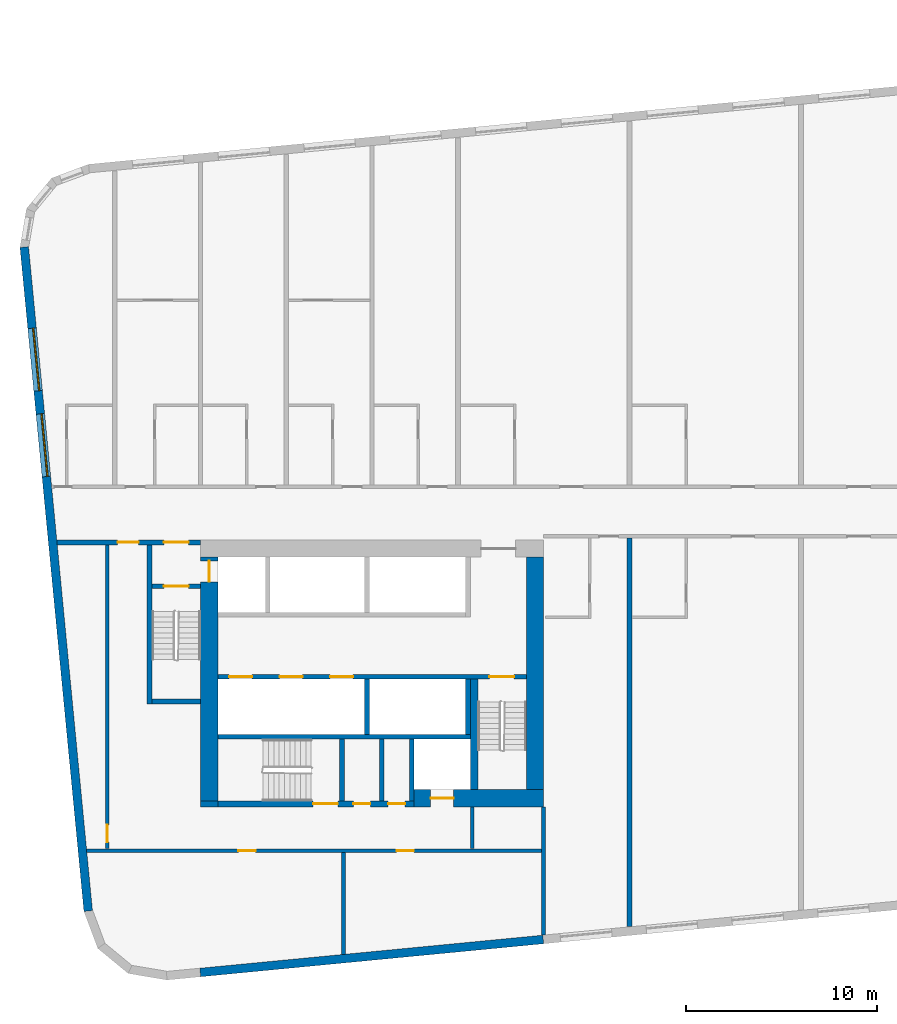
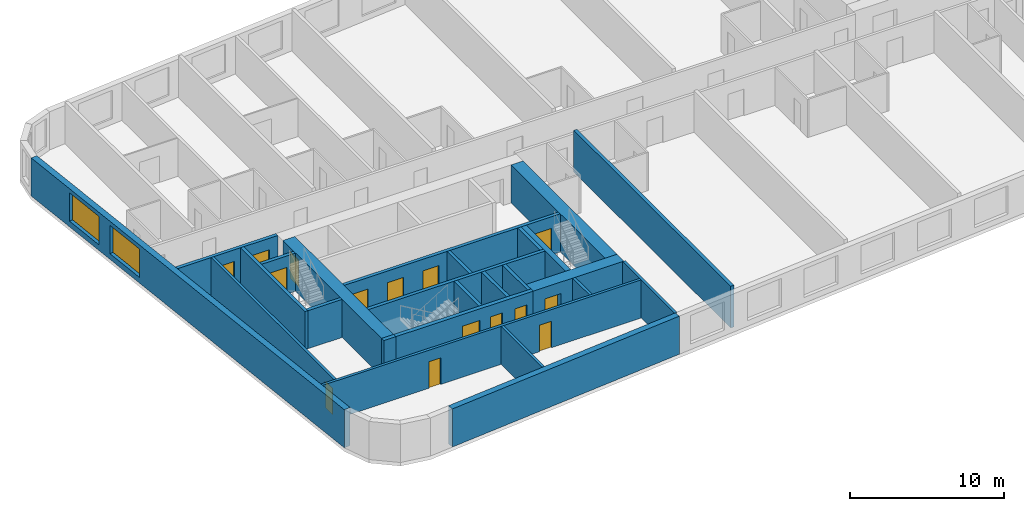
# One storey, part 2 of 12: 25 walls, 15 doors, 2 windows, 17 openings.
"""IFC4 building model written with IfcOpenShell, lengths in metres."""

import ifcopenshell
import ifcopenshell.guid

model = None  # the IFC model being written
_history = None  # IfcOwnerHistory: only IFC2X3 demands one
_inside = {}  # id of a spatial element -> (the spatial element, [elements in it])
_under = {}  # id of a project, library or spatial element -> (it, [spatial elements below it])
_declared = {}  # id of a project -> (the project, [libraries it declares])
_typed = {}  # id of a type object -> (the type object, [elements of that type])
_made_of = {}  # id of a material, layer set ... -> (it, [elements and type objects made of it])


def new_model(schema):
    """Start an empty IFC model of exactly this schema.

    Asked for "IFC4X3", IfcOpenShell would pick the latest addendum, in which some entities
    have other attributes; the version numbers below select the first issue.
    IFC2X3 requires an IfcOwnerHistory on every rooted entity: one is made here for all.
    """
    global model, _history
    if schema == "IFC4X3":
        model = ifcopenshell.file(schema_version=(4, 3, 0, 0))
    else:
        model = ifcopenshell.file(schema=schema)
    _inside.clear()
    _under.clear()
    _declared.clear()
    _typed.clear()
    _made_of.clear()
    _history = None
    if model.schema == "IFC2X3":
        org = make("IfcOrganization", Name="unknown")
        user = make(
            "IfcPersonAndOrganization",
            ThePerson=make("IfcPerson", FamilyName="unknown"),
            TheOrganization=org,
        )
        app = make(
            "IfcApplication",
            ApplicationDeveloper=org,
            Version="unknown",
            ApplicationFullName="unknown",
            ApplicationIdentifier="unknown",
        )
        _history = make(
            "IfcOwnerHistory",
            OwningUser=user,
            OwningApplication=app,
            ChangeAction="ADDED",
            CreationDate=0,
        )
    return model


def make(cls, **values):
    """One entity of the class cls with the attributes given. An attribute that is None is left unset."""
    return model.create_entity(
        cls, **{name: value for name, value in values.items() if value is not None}
    )


def rooted(cls, **values):
    """An entity with a GlobalId (a new one), such as an element, a storey or a relation."""
    return make(cls, GlobalId=ifcopenshell.guid.new(), OwnerHistory=_history, **values)


def si_unit(unit_type, name, prefix=None):
    """IfcSIUnit, for example si_unit("LENGTHUNIT", "METRE", prefix="MILLI")."""
    return make("IfcSIUnit", UnitType=unit_type, Prefix=prefix, Name=name)


def assignment(units):
    """IfcUnitAssignment: the units of a project."""
    return None if units is None else make("IfcUnitAssignment", Units=units)


def point(xyz):
    """IfcCartesianPoint."""
    return None if xyz is None else make("IfcCartesianPoint", Coordinates=xyz)


def direction(xyz):
    """IfcDirection."""
    return None if xyz is None else make("IfcDirection", DirectionRatios=xyz)


def frame(location, z_axis=None, x_axis=None):
    """IfcAxis2Placement3D, a coordinate frame: its origin and axes. An axis left out is left unset."""
    return make(
        "IfcAxis2Placement3D",
        Location=point(location),
        Axis=direction(z_axis),
        RefDirection=direction(x_axis),
    )


def frame_2d(location, x_axis=None):
    """IfcAxis2Placement2D, a coordinate frame in the plane: its origin and x axis."""
    return make(
        "IfcAxis2Placement2D", Location=point(location), RefDirection=direction(x_axis)
    )


def origin():
    """The frame at (0, 0, 0) with its axes left unset."""
    return frame((0.0, 0.0, 0.0))


def place(relative_to, where):
    """IfcLocalPlacement: puts the frame where relative to a parent placement (None: the world)."""
    return make(
        "IfcLocalPlacement", PlacementRelTo=relative_to, RelativePlacement=where
    )


def context(
    kind, dimensions, precision=None, world=None, true_north=None, identifier=None
):
    """IfcGeometricRepresentationContext, for example the 3D "Model" context."""
    return make(
        "IfcGeometricRepresentationContext",
        ContextIdentifier=identifier,
        ContextType=kind,
        CoordinateSpaceDimension=dimensions,
        Precision=precision,
        WorldCoordinateSystem=world,
        TrueNorth=true_north,
    )


def subcontext(parent, identifier, kind, view, scale=None):
    """IfcGeometricRepresentationSubContext, for example "Body" below "Model"."""
    return make(
        "IfcGeometricRepresentationSubContext",
        ContextIdentifier=identifier,
        ContextType=kind,
        ParentContext=parent,
        TargetScale=scale,
        TargetView=view,
    )


def project(units=None, contexts=None):
    """IfcProject with its units and contexts."""
    return rooted(
        "IfcProject",
        Name="project",
        RepresentationContexts=contexts,
        UnitsInContext=assignment(units),
    )


def spatial(cls, under=None, at=None, **own):
    """A site, building, storey or space (cls), placed at a placement, below another one or the project."""
    s = rooted(cls, ObjectPlacement=at, **own)
    if under is not None:
        _under.setdefault(under.id(), (under, []))[1].append(s)
    return s


def profile(cls, at=None, kind="AREA", **sizes):
    """A parametric profile (cls). Its sizes go by their IFC names, for example OverallWidth=200.0."""
    return make(cls, ProfileType=kind, Position=at, **sizes)


def rectangle(**sizes):
    """IfcRectangleProfileDef."""
    return profile("IfcRectangleProfileDef", **sizes)


def extrude(swept, where, along, depth):
    """IfcExtrudedAreaSolid: the profile swept, set in the frame where, extruded along a direction by depth."""
    return make(
        "IfcExtrudedAreaSolid",
        SweptArea=swept,
        Position=where,
        ExtrudedDirection=direction(along),
        Depth=depth,
    )


def shape(context_of_items, identifier, shape_type, items):
    """IfcShapeRepresentation: the items that make up one representation, for example the "Body"."""
    return make(
        "IfcShapeRepresentation",
        ContextOfItems=context_of_items,
        RepresentationIdentifier=identifier,
        RepresentationType=shape_type,
        Items=items,
    )


def material(Name=None, Category=None):
    """IfcMaterial."""
    return make("IfcMaterial", Name=Name, Category=Category)


def layer(
    of_material, thickness, ventilated=None, Name=None, Category=None, Priority=None
):
    """IfcMaterialLayer: one layer of a wall or slab, of a material (None: an air gap)."""
    return make(
        "IfcMaterialLayer",
        Material=of_material,
        LayerThickness=thickness,
        IsVentilated=ventilated,
        Name=Name,
        Category=Category,
        Priority=Priority,
    )


def layer_set(layers, Name=None):
    """IfcMaterialLayerSet."""
    return make("IfcMaterialLayerSet", MaterialLayers=layers, LayerSetName=Name)


def made_of(thing, what):
    """Note that an element or type object is made of a material, layer set ...; save() writes the relation."""
    if what is not None:
        _made_of.setdefault(what.id(), (what, []))[1].append(thing)
    return thing


def type_object(cls, material=None, **own):
    """A type object (cls), such as IfcWallType, which elements share."""
    return made_of(rooted(cls, **own), material)


def element(
    cls,
    number,
    at=None,
    inside=None,
    cuts=None,
    type_object=None,
    material=None,
    context=None,
    identifier="Body",
    shape_type=None,
    held_by="IfcProductDefinitionShape",
    body=None,
    shapes=None,
    **own,
):
    """One element of the class cls, such as IfcWall. Its Tag is "e" and its number.

    at: its placement. inside: the storey or other place that contains it. cuts: it is an
    opening in that element (IfcRelVoidsElement). A single representation is given by context,
    identifier, shape_type and body (its items); several are given by shapes. held_by: the class
    of the entity that holds the representations. save() writes the other relations.
    """
    e = rooted(cls, Tag="e%d" % number, ObjectPlacement=at, **own)
    if body is not None:
        shapes = [shape(context, identifier, shape_type, body)]
    if shapes is not None:
        e.Representation = make(held_by, Representations=shapes)
    if inside is not None:
        _inside.setdefault(inside.id(), (inside, []))[1].append(e)
    if cuts is not None:
        rooted(
            "IfcRelVoidsElement", RelatingBuildingElement=cuts, RelatedOpeningElement=e
        )
    if type_object is not None:
        _typed.setdefault(type_object.id(), (type_object, []))[1].append(e)
    return made_of(e, material)


def fill(opening, filler):
    """IfcRelFillsElement: the door or window that sits in an opening."""
    return rooted(
        "IfcRelFillsElement",
        RelatingOpeningElement=opening,
        RelatedBuildingElement=filler,
    )


def aggregate(whole, parts):
    """IfcRelAggregates: a whole, such as a stair, and the parts it consists of."""
    return rooted("IfcRelAggregates", RelatingObject=whole, RelatedObjects=parts)


def save(model, path):
    """Write the relations noted so far, then the file.

    IfcRelAggregates (storeys below a building ...), IfcRelContainedInSpatialStructure (elements
    in a storey), IfcRelDefinesByType, IfcRelAssociatesMaterial and IfcRelDeclares: one each for
    every whole, place, type object, material and project.
    """
    for whole, parts in _under.values():
        aggregate(whole, parts)
    for where, things in _inside.values():
        rooted(
            "IfcRelContainedInSpatialStructure",
            RelatedElements=things,
            RelatingStructure=where,
        )
    for kind, things in _typed.values():
        rooted("IfcRelDefinesByType", RelatedObjects=things, RelatingType=kind)
    for what, things in _made_of.values():
        rooted("IfcRelAssociatesMaterial", RelatedObjects=things, RelatingMaterial=what)
    for by, libraries in _declared.values():
        rooted("IfcRelDeclares", RelatingContext=by, RelatedDefinitions=libraries)
    model.write(path)


model = new_model("IFC4")

# Units and contexts
model_context = context("Model", 3, precision=1e-05, world=origin(), true_north=direction((0.0, 1.0)))
body_context = subcontext(model_context, "Body", "Model", "MODEL_VIEW")
ifc_project = project(units=[si_unit("LENGTHUNIT", "METRE"), si_unit("AREAUNIT", "SQUARE_METRE"), si_unit("VOLUMEUNIT", "CUBIC_METRE"), si_unit("PLANEANGLEUNIT", "RADIAN"), si_unit("MASSUNIT", "GRAM", prefix="KILO")], contexts=[model_context])

# Site, building, storey
site_placement = place(None, origin())
site = spatial("IfcSite", under=ifc_project, at=site_placement, CompositionType="ELEMENT")
building_placement = place(site_placement, origin())
building = spatial("IfcBuilding", under=site, at=building_placement, Name="Kajstack Hotel Tower", CompositionType="ELEMENT")
storey_placement = place(building_placement, frame((0.0, 0.0, 127.300048828125)))
storey = spatial("IfcBuildingStorey", under=building, at=storey_placement, Name="L28", CompositionType="ELEMENT", Elevation=127.300048828125)

# Wall, opening, door
ifc_material_1 = material(Name="Concrete C60/75", Category="concrete")
ifc_layer_1 = layer(ifc_material_1, 0.89990234375)
ifc_layer_set_1 = layer_set([ifc_layer_1], Name="Core wall 900")
wall_type_1 = type_object("IfcWallType", Name="Core wall 900", PredefinedType="SHEAR", material=ifc_layer_set_1)
wall_1_placement = place(storey_placement, frame((-20.300048828125, -15.050048828125, 0.0), z_axis=(0.0, 0.0, 1.0), x_axis=(1.0, 0.0, 0.0)))
wall_1 = element("IfcWall", 1, at=wall_1_placement, inside=storey, type_object=wall_type_1, Name="Core wall W RS", PredefinedType="SHEAR", context=body_context, shape_type="SweptSolid", body=[
    extrude(rectangle(XDim=6.800048828125, YDim=0.89990234375, at=frame_2d((3.39990234375, 0.0))), origin(), (0.0, 0.0, 1.0), 3.02001953125),
])
opening_1_placement = place(wall_1_placement, frame((0.875, 0.0, 0.0)))
opening_1 = element("IfcOpeningElement", 2, at=opening_1_placement, cuts=wall_1, Name="Opening LD-SV1", PredefinedType="OPENING", context=body_context, shape_type="SweptSolid", body=[
    extrude(rectangle(XDim=1.199951171875, YDim=2.10009765625, at=frame_2d((0.60009765625, 1.050048828125))), frame((0.0, 0.4599609375, 0.0), z_axis=(0.0, -1.0, 0.0), x_axis=(1.0, 0.0, 0.0)), (0.0, 0.0, 1.0), 0.919921875),
])
ifc_material_2 = material(Name="Stainless steel", Category="steel")
door_type_1 = type_object("IfcDoorType", Name="Lift landing door 1200", OperationType="SLIDING_TO_LEFT", PredefinedType="DOOR", material=ifc_material_2)
door_1_placement = place(opening_1_placement, origin())
door_1 = element("IfcDoor", 3, at=door_1_placement, inside=storey, type_object=door_type_1, Name="Landing door SV1", OperationType="SLIDING_TO_LEFT", OverallHeight=2.10009765625, OverallWidth=1.199951171875, PredefinedType="DOOR", context=body_context, shape_type="SweptSolid", body=[
    extrude(rectangle(XDim=1.199951171875, YDim=2.10009765625, at=frame_2d((0.60009765625, 1.050048828125))), frame((0.0, 0.02490234375, 0.0), z_axis=(0.0, -1.0, 0.0), x_axis=(1.0, 0.0, 0.0)), (0.0, 0.0, 1.0), 0.050048828125),
])
fill(opening_1, door_1)

# Wall
wall_2_placement = place(storey_placement, frame((-31.5, -15.35009765625, 0.0), z_axis=(0.0, 0.0, 1.0), x_axis=(1.0, 0.0, 0.0)))
element("IfcWall", 4, at=wall_2_placement, inside=storey, type_object=wall_type_1, Name="Core wall W RSW", PredefinedType="SHEAR", context=body_context, shape_type="SweptSolid", body=[
    extrude(rectangle(XDim=0.89990234375, YDim=0.300048828125, at=frame_2d((0.449951171875, 0.0))), origin(), (0.0, 0.0, 1.0), 3.02001953125),
])

# Wall, opening, door
wall_3_placement = place(storey_placement, frame((-31.050048828125, -15.199951171875, 0.0), z_axis=(0.0, 0.0, 1.0), x_axis=(0.0, 1.0, 0.0)))
wall_3 = element("IfcWall", 5, at=wall_3_placement, inside=storey, type_object=wall_type_1, Name="Core wall W RW", PredefinedType="SHEAR", context=body_context, shape_type="SweptSolid", body=[
    extrude(rectangle(XDim=12.800048828125, YDim=0.89990234375, at=frame_2d((6.39990234375, 0.0))), origin(), (0.0, 0.0, 1.0), 3.02001953125),
])
opening_2_placement = place(wall_3_placement, frame((11.5, 0.0, 0.0)))
opening_2 = element("IfcOpeningElement", 6, at=opening_2_placement, cuts=wall_3, Name="Opening LD-FF1", PredefinedType="OPENING", context=body_context, shape_type="SweptSolid", body=[
    extrude(rectangle(XDim=1.10009765625, YDim=2.10009765625, at=frame_2d((0.550048828125, 1.050048828125))), frame((0.0, 0.4599609375, 0.0), z_axis=(0.0, -1.0, 0.0), x_axis=(1.0, 0.0, 0.0)), (0.0, 0.0, 1.0), 0.919921875),
])
door_type_2 = type_object("IfcDoorType", Name="Fire-fighting lift landing door 1100", OperationType="SLIDING_TO_LEFT", PredefinedType="DOOR", material=ifc_material_2)
door_2_placement = place(opening_2_placement, origin())
door_2 = element("IfcDoor", 7, at=door_2_placement, inside=storey, type_object=door_type_2, Name="Landing door FF1", OperationType="SLIDING_TO_RIGHT", OverallHeight=2.10009765625, OverallWidth=1.10009765625, PredefinedType="DOOR", context=body_context, shape_type="SweptSolid", body=[
    extrude(rectangle(XDim=1.10009765625, YDim=2.10009765625, at=frame_2d((0.550048828125, 1.050048828125))), frame((0.0, 0.02490234375, 0.0), z_axis=(0.0, -1.0, 0.0), x_axis=(1.0, 0.0, 0.0)), (0.0, 0.0, 1.0), 0.050048828125),
])
fill(opening_2, door_2)

# Walls
wall_4_placement = place(storey_placement, frame((-13.949951171875, -14.60009765625, 0.0), z_axis=(0.0, 0.0, 1.0), x_axis=(0.0, 1.0, 0.0)))
element("IfcWall", 8, at=wall_4_placement, inside=storey, type_object=wall_type_1, Name="Core wall W RE", PredefinedType="SHEAR", context=body_context, shape_type="SweptSolid", body=[
    extrude(rectangle(XDim=12.2001953125, YDim=0.89990234375, at=frame_2d((6.10009765625, 0.0))), origin(), (0.0, 0.0, 1.0), 3.02001953125),
])
ifc_material_3 = material(Name="Twin-frame gypsum board on steel studs, mineral wool", Category="steel")
ifc_layer_2 = layer(ifc_material_3, 0.199951171875)
ifc_layer_set_2 = layer_set([ifc_layer_2], Name="Demising wall 200")
wall_type_2 = type_object("IfcWallType", Name="Demising wall 200", PredefinedType="PARTITIONING", material=ifc_layer_set_2)
wall_5_placement = place(storey_placement, frame((-13.5, -22.23193359375, 0.0), z_axis=(0.0, 0.0, 1.0), x_axis=(0.0, 1.0, 0.0)))
element("IfcWall", 9, at=wall_5_placement, inside=storey, type_object=wall_type_2, Name="G-wall-L28-002", PredefinedType="PARTITIONING", context=body_context, shape_type="SweptSolid", body=[
    extrude(rectangle(XDim=6.73193359375, YDim=0.199951171875, at=frame_2d((3.365966796875, 0.0))), origin(), (0.0, 0.0, 1.0), 3.02001953125),
])
ifc_material_4 = material(Name="Concrete C40/50", Category="concrete")
ifc_layer_3 = layer(ifc_material_4, 0.449951171875)
ifc_layer_set_3 = layer_set([ifc_layer_3], Name="EW-CORE")
wall_type_3 = type_object("IfcWallType", Name="EW-CORE", PredefinedType="SOLIDWALL", material=ifc_layer_set_3)
wall_6_placement = place(storey_placement, frame((-31.521484375, -24.193603515625, 0.0), z_axis=(0.0, 0.0, 1.0), x_axis=(0.995396454615, 0.095843091245, 0.0)))
element("IfcWall", 10, at=wall_6_placement, inside=storey, type_object=wall_type_3, Name="E-wall-L28-04-01", PredefinedType="SOLIDWALL", context=body_context, shape_type="SweptSolid", body=[
    extrude(rectangle(XDim=18.083251953125, YDim=0.449951171875, at=frame_2d((9.04150390625, 0.0))), origin(), (0.0, 0.0, 1.0), 3.02001953125),
])

# Wall, openings, windows
ifc_material_5 = material(Name="Terracotta-faced brick masonry", Category="masonry")
ifc_layer_4 = layer(ifc_material_5, 0.449951171875)
ifc_layer_set_4 = layer_set([ifc_layer_4], Name="EW-TERRA")
wall_type_4 = type_object("IfcWallType", Name="EW-TERRA", PredefinedType="SOLIDWALL", material=ifc_layer_set_4)
wall_7_placement = place(storey_placement, frame((-40.7529296875, 13.87158203125, 0.0), z_axis=(0.0, 0.0, 1.0), x_axis=(0.095843327381, -0.995396431878, 0.0)))
wall_7 = element("IfcWall", 11, at=wall_7_placement, inside=storey, type_object=wall_type_4, Name="E-wall-L28-00-00", PredefinedType="SOLIDWALL", context=body_context, shape_type="SweptSolid", body=[
    extrude(rectangle(XDim=34.999755859375, YDim=0.449951171875, at=frame_2d((17.5, 0.0))), origin(), (0.0, 0.0, 1.0), 3.02001953125),
])
opening_3_placement = place(wall_7_placement, frame((4.27734375, 0.0, 0.449951171875)))
opening_3 = element("IfcOpeningElement", 12, at=opening_3_placement, cuts=wall_7, Name="Opening W2", PredefinedType="OPENING", context=body_context, shape_type="SweptSolid", body=[
    extrude(rectangle(XDim=3.300048828125, YDim=2.25, at=frame_2d((1.64990234375, 1.125))), frame((0.0, 0.23486328125, 0.0), z_axis=(0.0, -1.0, 0.0), x_axis=(1.0, 0.0, 0.0)), (0.0, 0.0, 1.0), 0.469970703125),
])
opening_4_placement = place(wall_7_placement, frame((8.798095703125, 0.0, 0.449951171875)))
opening_4 = element("IfcOpeningElement", 13, at=opening_4_placement, cuts=wall_7, Name="Opening W2", PredefinedType="OPENING", context=body_context, shape_type="SweptSolid", body=[
    extrude(rectangle(XDim=3.300048828125, YDim=2.25, at=frame_2d((1.64990234375, 1.125))), frame((0.0, 0.23486328125, 0.0), z_axis=(0.0, -1.0, 0.0), x_axis=(1.0, 0.0, 0.0)), (0.0, 0.0, 1.0), 0.469970703125),
])
ifc_material_6 = material(Name="Timber-aluminium window, triple glazed", Category="wood")
window_type = type_object("IfcWindowType", Name="WG2", PartitioningType="SINGLE_PANEL", PredefinedType="WINDOW", material=ifc_material_6)
window_1_placement = place(opening_3_placement, origin())
window_1 = element("IfcWindow", 14, at=window_1_placement, inside=storey, type_object=window_type, Name="Window W2 L28-00", OverallHeight=2.25, OverallWidth=3.300048828125, PartitioningType="SINGLE_PANEL", PredefinedType="WINDOW", context=body_context, shape_type="SweptSolid", body=[
    extrude(rectangle(XDim=3.300048828125, YDim=2.25, at=frame_2d((1.64990234375, 1.125))), frame((0.0, 0.090087890625, 0.0), z_axis=(0.0, -1.0, 0.0), x_axis=(1.0, 0.0, 0.0)), (0.0, 0.0, 1.0), 0.06005859375),
])
fill(opening_3, window_1)
window_2_placement = place(opening_4_placement, origin())
window_2 = element("IfcWindow", 15, at=window_2_placement, inside=storey, type_object=window_type, Name="Window W2 L28-00", OverallHeight=2.25, OverallWidth=3.300048828125, PartitioningType="SINGLE_PANEL", PredefinedType="WINDOW", context=body_context, shape_type="SweptSolid", body=[
    extrude(rectangle(XDim=3.300048828125, YDim=2.25, at=frame_2d((1.64990234375, 1.125))), frame((0.0, 0.090087890625, 0.0), z_axis=(0.0, -1.0, 0.0), x_axis=(1.0, 0.0, 0.0)), (0.0, 0.0, 1.0), 0.06005859375),
])
fill(opening_4, window_2)

# Walls
ifc_material_7 = material(Name="Concrete C50/60", Category="concrete")
ifc_layer_5 = layer(ifc_material_7, 0.300048828125)
ifc_layer_set_5 = layer_set([ifc_layer_5], Name="Hoistway divider wall 300")
wall_type_5 = type_object("IfcWallType", Name="Hoistway divider wall 300", PredefinedType="SHEAR", material=ifc_layer_set_5)
wall_8_placement = place(storey_placement, frame((-22.77490234375, -11.699951171875, 0.0), z_axis=(0.0, 0.0, 1.0), x_axis=(0.0, 1.0, 0.0)))
element("IfcWall", 16, at=wall_8_placement, inside=storey, type_object=wall_type_5, Name="Core wall W BP2", PredefinedType="SHEAR", context=body_context, shape_type="SweptSolid", body=[
    extrude(rectangle(XDim=2.89990234375, YDim=0.25, at=frame_2d((1.449951171875, 0.0))), origin(), (0.0, 0.0, 1.0), 3.02001953125),
])
ifc_material_8 = material(Name="Concrete C55/67", Category="concrete")
ifc_layer_6 = layer(ifc_material_8, 0.25)
ifc_layer_set_6 = layer_set([ifc_layer_6], Name="RC cross wall 250 C55/67")
wall_type_6 = type_object("IfcWallType", Name="RC cross wall 250 C55/67", PredefinedType="SHEAR", material=ifc_layer_set_6)
wall_9_placement = place(storey_placement, frame((-9.0, -21.777099609375, 0.0), z_axis=(0.0, 0.0, 1.0), x_axis=(0.0, 1.0, 0.0)))
element("IfcWall", 17, at=wall_9_placement, inside=storey, type_object=wall_type_6, Name="S-wall-L28-04", PredefinedType="SHEAR", context=body_context, shape_type="SweptSolid", body=[
    extrude(rectangle(XDim=20.377197265625, YDim=0.25, at=frame_2d((10.1884765625, 0.0))), origin(), (0.0, 0.0, 1.0), 3.300048828125),
])
ifc_material_9 = material(Name="Concrete block masonry", Category="masonry")
ifc_layer_7 = layer(ifc_material_9, 0.25)
ifc_layer_set_7 = layer_set([ifc_layer_7], Name="Riser partition 250")
wall_type_7 = type_object("IfcWallType", Name="Riser partition 250", PredefinedType="PARTITIONING", material=ifc_layer_set_7)
wall_10_placement = place(storey_placement, frame((-22.0, -15.199951171875, 0.0), z_axis=(0.0, 0.0, 1.0), x_axis=(0.0, 1.0, 0.0)))
element("IfcWall", 18, at=wall_10_placement, inside=storey, type_object=wall_type_7, Name="Partition W SZ0", PredefinedType="PARTITIONING", context=body_context, shape_type="SweptSolid", body=[
    extrude(rectangle(XDim=3.25, YDim=0.25, at=frame_2d((1.625, 0.0))), origin(), (0.0, 0.0, 1.0), 3.02001953125),
])

# Wall, openings, doors
ifc_material_10 = material(Name="Gypsum board on steel studs, mineral wool", Category="steel")
ifc_layer_8 = layer(ifc_material_10, 0.199951171875)
ifc_layer_set_8 = layer_set([ifc_layer_8], Name="Service partition 200")
wall_type_8 = type_object("IfcWallType", Name="Service partition 200", PredefinedType="PARTITIONING", material=ifc_layer_set_8)
wall_11_placement = place(storey_placement, frame((-39.034912109375, -1.625, 0.0), z_axis=(0.0, 0.0, 1.0), x_axis=(1.0, 0.0, 0.0)))
wall_11 = element("IfcWall", 19, at=wall_11_placement, inside=storey, type_object=wall_type_8, Name="Partition W SN", PredefinedType="PARTITIONING", context=body_context, shape_type="SweptSolid", body=[
    extrude(rectangle(XDim=7.534912109375, YDim=0.25, at=frame_2d((3.767578125, 0.0))), origin(), (0.0, 0.0, 1.0), 3.02001953125),
])
opening_5_placement = place(wall_11_placement, frame((5.60986328125, 0.0, 0.0)))
opening_5 = element("IfcOpeningElement", 20, at=opening_5_placement, cuts=wall_11, Name="Opening 28W07", PredefinedType="OPENING", context=body_context, shape_type="SweptSolid", body=[
    extrude(rectangle(XDim=1.300048828125, YDim=2.10009765625, at=frame_2d((0.64990234375, 1.050048828125))), frame((0.0, 0.135009765625, 0.0), z_axis=(0.0, -1.0, 0.0), x_axis=(1.0, 0.0, 0.0)), (0.0, 0.0, 1.0), 0.27001953125),
])
opening_6_placement = place(wall_11_placement, frame((3.184814453125, 0.0, 0.0)))
opening_6 = element("IfcOpeningElement", 21, at=opening_6_placement, cuts=wall_11, Name="Opening 28W09", PredefinedType="OPENING", context=body_context, shape_type="SweptSolid", body=[
    extrude(rectangle(XDim=1.10009765625, YDim=2.10009765625, at=frame_2d((0.550048828125, 1.050048828125))), frame((0.0, 0.135009765625, 0.0), z_axis=(0.0, -1.0, 0.0), x_axis=(1.0, 0.0, 0.0)), (0.0, 0.0, 1.0), 0.27001953125),
])
ifc_material_11 = material(Name="Steel leaf, fire-rated", Category="steel")
door_type_3 = type_object("IfcDoorType", Name="Fire lobby door 1300", OperationType="SINGLE_SWING_LEFT", PredefinedType="DOOR", material=ifc_material_11)
door_3_placement = place(opening_5_placement, origin())
door_3 = element("IfcDoor", 22, at=door_3_placement, inside=storey, type_object=door_type_3, Name="Door 28W07", OperationType="SINGLE_SWING_RIGHT", OverallHeight=2.10009765625, OverallWidth=1.300048828125, PredefinedType="DOOR", context=body_context, shape_type="SweptSolid", body=[
    extrude(rectangle(XDim=1.300048828125, YDim=2.10009765625, at=frame_2d((0.64990234375, 1.050048828125))), frame((0.0, 0.02490234375, 0.0), z_axis=(0.0, -1.0, 0.0), x_axis=(1.0, 0.0, 0.0)), (0.0, 0.0, 1.0), 0.050048828125),
])
fill(opening_5, door_3)
ifc_material_12 = material(Name="Timber leaf, fire-rated", Category="wood")
door_type_4 = type_object("IfcDoorType", Name="Service corridor door 1100", OperationType="SINGLE_SWING_LEFT", PredefinedType="DOOR", material=ifc_material_12)
door_4_placement = place(opening_6_placement, origin())
door_4 = element("IfcDoor", 23, at=door_4_placement, inside=storey, type_object=door_type_4, Name="Door 28W09", OperationType="SINGLE_SWING_RIGHT", OverallHeight=2.10009765625, OverallWidth=1.10009765625, PredefinedType="DOOR", context=body_context, shape_type="SweptSolid", body=[
    extrude(rectangle(XDim=1.10009765625, YDim=2.10009765625, at=frame_2d((0.550048828125, 1.050048828125))), frame((0.0, 0.02490234375, 0.0), z_axis=(0.0, -1.0, 0.0), x_axis=(1.0, 0.0, 0.0)), (0.0, 0.0, 1.0), 0.050048828125),
])
fill(opening_6, door_4)

# Wall
wall_12_placement = place(storey_placement, frame((-17.25, -17.699951171875, 0.0), z_axis=(0.0, 0.0, 1.0), x_axis=(0.0, 1.0, 0.0)))
element("IfcWall", 24, at=wall_12_placement, inside=storey, type_object=wall_type_8, Name="Partition W SCE", PredefinedType="PARTITIONING", context=body_context, shape_type="SweptSolid", body=[
    extrude(rectangle(XDim=2.199951171875, YDim=0.199951171875, at=frame_2d((1.10009765625, 0.0))), origin(), (0.0, 0.0, 1.0), 3.02001953125),
])

# Wall, opening, door
wall_13_placement = place(storey_placement, frame((-36.39990234375, -17.699951171875, 0.0), z_axis=(0.0, 0.0, 1.0), x_axis=(0.0, 1.0, 0.0)))
wall_13 = element("IfcWall", 25, at=wall_13_placement, inside=storey, type_object=wall_type_8, Name="Partition W WRE", PredefinedType="PARTITIONING", context=body_context, shape_type="SweptSolid", body=[
    extrude(rectangle(XDim=15.949951171875, YDim=0.199951171875, at=frame_2d((7.97509765625, 0.0))), origin(), (0.0, 0.0, 1.0), 3.02001953125),
])
opening_7_placement = place(wall_13_placement, frame((0.35009765625, 0.0, 0.0)))
opening_7 = element("IfcOpeningElement", 26, at=opening_7_placement, cuts=wall_13, Name="Opening 28W16", PredefinedType="OPENING", context=body_context, shape_type="SweptSolid", body=[
    extrude(rectangle(XDim=0.89990234375, YDim=2.10009765625, at=frame_2d((0.449951171875, 1.050048828125))), frame((0.0, 0.10986328125, 0.0), z_axis=(0.0, -1.0, 0.0), x_axis=(1.0, 0.0, 0.0)), (0.0, 0.0, 1.0), 0.219970703125),
])
door_type_5 = type_object("IfcDoorType", Name="Service door 900", OperationType="SINGLE_SWING_LEFT", PredefinedType="DOOR", material=ifc_material_12)
door_5_placement = place(opening_7_placement, origin())
door_5 = element("IfcDoor", 27, at=door_5_placement, inside=storey, type_object=door_type_5, Name="Door 28W16", OperationType="SINGLE_SWING_LEFT", OverallHeight=2.10009765625, OverallWidth=0.89990234375, PredefinedType="DOOR", context=body_context, shape_type="SweptSolid", body=[
    extrude(rectangle(XDim=0.89990234375, YDim=2.10009765625, at=frame_2d((0.449951171875, 1.050048828125))), frame((0.0, 0.02490234375, 0.0), z_axis=(0.0, -1.0, 0.0), x_axis=(1.0, 0.0, 0.0)), (0.0, 0.0, 1.0), 0.050048828125),
])
fill(opening_7, door_5)

# Wall, openings, doors
wall_14_placement = place(storey_placement, frame((-37.477294921875, -17.800048828125, 0.0), z_axis=(0.0, 0.0, 1.0), x_axis=(1.0, 0.0, 0.0)))
wall_14 = element("IfcWall", 28, at=wall_14_placement, inside=storey, type_object=wall_type_8, Name="Partition W SLN", PredefinedType="PARTITIONING", context=body_context, shape_type="SweptSolid", body=[
    extrude(rectangle(XDim=23.877197265625, YDim=0.199951171875, at=frame_2d((11.9384765625, 0.0))), origin(), (0.0, 0.0, 1.0), 3.02001953125),
])
opening_8_placement = place(wall_14_placement, frame((7.96484375, 0.0, 0.0)))
opening_8 = element("IfcOpeningElement", 29, at=opening_8_placement, cuts=wall_14, Name="Opening 28W14", PredefinedType="OPENING", context=body_context, shape_type="SweptSolid", body=[
    extrude(rectangle(XDim=0.89990234375, YDim=2.10009765625, at=frame_2d((0.449951171875, 1.050048828125))), frame((0.0, 0.10986328125, 0.0), z_axis=(0.0, -1.0, 0.0), x_axis=(1.0, 0.0, 0.0)), (0.0, 0.0, 1.0), 0.219970703125),
])
opening_9_placement = place(wall_14_placement, frame((16.264892578125, 0.0, 0.0)))
opening_9 = element("IfcOpeningElement", 30, at=opening_9_placement, cuts=wall_14, Name="Opening 28W15", PredefinedType="OPENING", context=body_context, shape_type="SweptSolid", body=[
    extrude(rectangle(XDim=0.89990234375, YDim=2.10009765625, at=frame_2d((0.449951171875, 1.050048828125))), frame((0.0, 0.10986328125, 0.0), z_axis=(0.0, -1.0, 0.0), x_axis=(1.0, 0.0, 0.0)), (0.0, 0.0, 1.0), 0.219970703125),
])
door_6_placement = place(opening_8_placement, origin())
door_6 = element("IfcDoor", 31, at=door_6_placement, inside=storey, type_object=door_type_5, Name="Door 28W14", OperationType="SINGLE_SWING_RIGHT", OverallHeight=2.10009765625, OverallWidth=0.89990234375, PredefinedType="DOOR", context=body_context, shape_type="SweptSolid", body=[
    extrude(rectangle(XDim=0.89990234375, YDim=2.10009765625, at=frame_2d((0.449951171875, 1.050048828125))), frame((0.0, 0.02490234375, 0.0), z_axis=(0.0, -1.0, 0.0), x_axis=(1.0, 0.0, 0.0)), (0.0, 0.0, 1.0), 0.050048828125),
])
fill(opening_8, door_6)
door_7_placement = place(opening_9_placement, origin())
door_7 = element("IfcDoor", 32, at=door_7_placement, inside=storey, type_object=door_type_5, Name="Door 28W15", OperationType="SINGLE_SWING_RIGHT", OverallHeight=2.10009765625, OverallWidth=0.89990234375, PredefinedType="DOOR", context=body_context, shape_type="SweptSolid", body=[
    extrude(rectangle(XDim=0.89990234375, YDim=2.10009765625, at=frame_2d((0.449951171875, 1.050048828125))), frame((0.0, 0.02490234375, 0.0), z_axis=(0.0, -1.0, 0.0), x_axis=(1.0, 0.0, 0.0)), (0.0, 0.0, 1.0), 0.050048828125),
])
fill(opening_9, door_7)

# Wall
wall_15_placement = place(storey_placement, frame((-24.0, -23.244384765625, 0.0), z_axis=(0.0, 0.0, 1.0), x_axis=(0.0, 1.0, 0.0)))
element("IfcWall", 33, at=wall_15_placement, inside=storey, type_object=wall_type_8, Name="Partition W SLP0", PredefinedType="PARTITIONING", context=body_context, shape_type="SweptSolid", body=[
    extrude(rectangle(XDim=5.344482421875, YDim=0.199951171875, at=frame_2d((2.67236328125, 0.0))), origin(), (0.0, 0.0, 1.0), 3.02001953125),
])

# Wall, openings, doors
ifc_layer_9 = layer(ifc_material_7, 0.25)
ifc_layer_set_9 = layer_set([ifc_layer_9], Name="Shaft wall 250")
wall_type_9 = type_object("IfcWallType", Name="Shaft wall 250", PredefinedType="SHEAR", material=ifc_layer_set_9)
wall_16_placement = place(storey_placement, frame((-30.60009765625, -15.35009765625, 0.0), z_axis=(0.0, 0.0, 1.0), x_axis=(1.0, 0.0, 0.0)))
wall_16 = element("IfcWall", 34, at=wall_16_placement, inside=storey, type_object=wall_type_9, Name="Core wall W RSS", PredefinedType="SHEAR", context=body_context, shape_type="SweptSolid", body=[
    extrude(rectangle(XDim=10.300048828125, YDim=0.300048828125, at=frame_2d((5.14990234375, 0.0))), origin(), (0.0, 0.0, 1.0), 3.02001953125),
])
opening_10_placement = place(wall_16_placement, frame((5.0, 0.0, 0.0)))
opening_10 = element("IfcOpeningElement", 35, at=opening_10_placement, cuts=wall_16, Name="Opening 28W11", PredefinedType="OPENING", context=body_context, shape_type="SweptSolid", body=[
    extrude(rectangle(XDim=1.300048828125, YDim=2.10009765625, at=frame_2d((0.64990234375, 1.050048828125))), frame((0.0, 0.159912109375, 0.0), z_axis=(0.0, -1.0, 0.0), x_axis=(1.0, 0.0, 0.0)), (0.0, 0.0, 1.0), 0.320068359375),
])
opening_11_placement = place(wall_16_placement, frame((7.112548828125, 0.0, 0.0)))
opening_11 = element("IfcOpeningElement", 36, at=opening_11_placement, cuts=wall_16, Name="Opening 28W12", PredefinedType="OPENING", context=body_context, shape_type="SweptSolid", body=[
    extrude(rectangle(XDim=0.89990234375, YDim=2.10009765625, at=frame_2d((0.449951171875, 1.050048828125))), frame((0.0, 0.159912109375, 0.0), z_axis=(0.0, -1.0, 0.0), x_axis=(1.0, 0.0, 0.0)), (0.0, 0.0, 1.0), 0.320068359375),
])
opening_12_placement = place(wall_16_placement, frame((8.9375, 0.0, 0.0)))
opening_12 = element("IfcOpeningElement", 37, at=opening_12_placement, cuts=wall_16, Name="Opening 28W13", PredefinedType="OPENING", context=body_context, shape_type="SweptSolid", body=[
    extrude(rectangle(XDim=0.89990234375, YDim=2.10009765625, at=frame_2d((0.449951171875, 1.050048828125))), frame((0.0, 0.159912109375, 0.0), z_axis=(0.0, -1.0, 0.0), x_axis=(1.0, 0.0, 0.0)), (0.0, 0.0, 1.0), 0.320068359375),
])
door_8_placement = place(opening_11_placement, origin())
door_8 = element("IfcDoor", 38, at=door_8_placement, inside=storey, type_object=door_type_5, Name="Door 28W12", OperationType="SINGLE_SWING_LEFT", OverallHeight=2.10009765625, OverallWidth=0.89990234375, PredefinedType="DOOR", context=body_context, shape_type="SweptSolid", body=[
    extrude(rectangle(XDim=0.89990234375, YDim=2.10009765625, at=frame_2d((0.449951171875, 1.050048828125))), frame((0.0, 0.02490234375, 0.0), z_axis=(0.0, -1.0, 0.0), x_axis=(1.0, 0.0, 0.0)), (0.0, 0.0, 1.0), 0.050048828125),
])
fill(opening_11, door_8)
door_9_placement = place(opening_12_placement, origin())
door_9 = element("IfcDoor", 39, at=door_9_placement, inside=storey, type_object=door_type_5, Name="Door 28W13", OperationType="SINGLE_SWING_LEFT", OverallHeight=2.10009765625, OverallWidth=0.89990234375, PredefinedType="DOOR", context=body_context, shape_type="SweptSolid", body=[
    extrude(rectangle(XDim=0.89990234375, YDim=2.10009765625, at=frame_2d((0.449951171875, 1.050048828125))), frame((0.0, 0.02490234375, 0.0), z_axis=(0.0, -1.0, 0.0), x_axis=(1.0, 0.0, 0.0)), (0.0, 0.0, 1.0), 0.050048828125),
])
fill(opening_12, door_9)
door_type_6 = type_object("IfcDoorType", Name="Stair door 1300", OperationType="SINGLE_SWING_LEFT", PredefinedType="DOOR", material=ifc_material_11)
door_10_placement = place(opening_10_placement, origin())
door_10 = element("IfcDoor", 40, at=door_10_placement, inside=storey, type_object=door_type_6, Name="Door 28W11", OperationType="SINGLE_SWING_RIGHT", OverallHeight=2.10009765625, OverallWidth=1.300048828125, PredefinedType="DOOR", context=body_context, shape_type="SweptSolid", body=[
    extrude(rectangle(XDim=1.300048828125, YDim=2.10009765625, at=frame_2d((0.64990234375, 1.050048828125))), frame((0.0, 0.02490234375, 0.0), z_axis=(0.0, -1.0, 0.0), x_axis=(1.0, 0.0, 0.0)), (0.0, 0.0, 1.0), 0.050048828125),
])
fill(opening_10, door_10)

wall_17_placement = place(storey_placement, frame((-30.60009765625, -8.675048828125, 0.0), z_axis=(0.0, 0.0, 1.0), x_axis=(1.0, 0.0, 0.0)))
wall_17 = element("IfcWall", 41, at=wall_17_placement, inside=storey, type_object=wall_type_9, Name="Core wall W FB", PredefinedType="SHEAR", context=body_context, shape_type="SweptSolid", body=[
    extrude(rectangle(XDim=16.2001953125, YDim=0.25, at=frame_2d((8.10009765625, 0.0))), origin(), (0.0, 0.0, 1.0), 3.02001953125),
])
opening_13_placement = place(wall_17_placement, frame((0.60009765625, 0.0, 0.0)))
opening_13 = element("IfcOpeningElement", 42, at=opening_13_placement, cuts=wall_17, Name="Opening LD-LR1", PredefinedType="OPENING", context=body_context, shape_type="SweptSolid", body=[
    extrude(rectangle(XDim=1.199951171875, YDim=2.10009765625, at=frame_2d((0.60009765625, 1.050048828125))), frame((0.0, 0.135009765625, 0.0), z_axis=(0.0, -1.0, 0.0), x_axis=(1.0, 0.0, 0.0)), (0.0, 0.0, 1.0), 0.27001953125),
])
opening_14_placement = place(wall_17_placement, frame((3.25, 0.0, 0.0)))
opening_14 = element("IfcOpeningElement", 43, at=opening_14_placement, cuts=wall_17, Name="Opening LD-LR2", PredefinedType="OPENING", context=body_context, shape_type="SweptSolid", body=[
    extrude(rectangle(XDim=1.199951171875, YDim=2.10009765625, at=frame_2d((0.60009765625, 1.050048828125))), frame((0.0, 0.135009765625, 0.0), z_axis=(0.0, -1.0, 0.0), x_axis=(1.0, 0.0, 0.0)), (0.0, 0.0, 1.0), 0.27001953125),
])
opening_15_placement = place(wall_17_placement, frame((5.89990234375, 0.0, 0.0)))
opening_15 = element("IfcOpeningElement", 44, at=opening_15_placement, cuts=wall_17, Name="Opening LD-LR3", PredefinedType="OPENING", context=body_context, shape_type="SweptSolid", body=[
    extrude(rectangle(XDim=1.199951171875, YDim=2.10009765625, at=frame_2d((0.60009765625, 1.050048828125))), frame((0.0, 0.135009765625, 0.0), z_axis=(0.0, -1.0, 0.0), x_axis=(1.0, 0.0, 0.0)), (0.0, 0.0, 1.0), 0.27001953125),
])
opening_16_placement = place(wall_17_placement, frame((14.25, 0.0, 0.0)))
opening_16 = element("IfcOpeningElement", 45, at=opening_16_placement, cuts=wall_17, Name="Opening 28W10", PredefinedType="OPENING", context=body_context, shape_type="SweptSolid", body=[
    extrude(rectangle(XDim=1.300048828125, YDim=2.10009765625, at=frame_2d((0.64990234375, 1.050048828125))), frame((0.0, 0.135009765625, 0.0), z_axis=(0.0, -1.0, 0.0), x_axis=(1.0, 0.0, 0.0)), (0.0, 0.0, 1.0), 0.27001953125),
])
door_11_placement = place(opening_13_placement, origin())
door_11 = element("IfcDoor", 46, at=door_11_placement, inside=storey, type_object=door_type_1, Name="Landing door LR1", OperationType="SLIDING_TO_LEFT", OverallHeight=2.10009765625, OverallWidth=1.199951171875, PredefinedType="DOOR", context=body_context, shape_type="SweptSolid", body=[
    extrude(rectangle(XDim=1.199951171875, YDim=2.10009765625, at=frame_2d((0.60009765625, 1.050048828125))), frame((0.0, 0.02490234375, 0.0), z_axis=(0.0, -1.0, 0.0), x_axis=(1.0, 0.0, 0.0)), (0.0, 0.0, 1.0), 0.050048828125),
])
fill(opening_13, door_11)
door_12_placement = place(opening_14_placement, origin())
door_12 = element("IfcDoor", 47, at=door_12_placement, inside=storey, type_object=door_type_1, Name="Landing door LR2", OperationType="SLIDING_TO_RIGHT", OverallHeight=2.10009765625, OverallWidth=1.199951171875, PredefinedType="DOOR", context=body_context, shape_type="SweptSolid", body=[
    extrude(rectangle(XDim=1.199951171875, YDim=2.10009765625, at=frame_2d((0.60009765625, 1.050048828125))), frame((0.0, 0.02490234375, 0.0), z_axis=(0.0, -1.0, 0.0), x_axis=(1.0, 0.0, 0.0)), (0.0, 0.0, 1.0), 0.050048828125),
])
fill(opening_14, door_12)
door_13_placement = place(opening_15_placement, origin())
door_13 = element("IfcDoor", 48, at=door_13_placement, inside=storey, type_object=door_type_1, Name="Landing door LR3", OperationType="SLIDING_TO_RIGHT", OverallHeight=2.10009765625, OverallWidth=1.199951171875, PredefinedType="DOOR", context=body_context, shape_type="SweptSolid", body=[
    extrude(rectangle(XDim=1.199951171875, YDim=2.10009765625, at=frame_2d((0.60009765625, 1.050048828125))), frame((0.0, 0.02490234375, 0.0), z_axis=(0.0, -1.0, 0.0), x_axis=(1.0, 0.0, 0.0)), (0.0, 0.0, 1.0), 0.050048828125),
])
fill(opening_15, door_13)
door_14_placement = place(opening_16_placement, origin())
door_14 = element("IfcDoor", 49, at=door_14_placement, inside=storey, type_object=door_type_6, Name="Door 28W10", OperationType="SINGLE_SWING_RIGHT", OverallHeight=2.10009765625, OverallWidth=1.300048828125, PredefinedType="DOOR", context=body_context, shape_type="SweptSolid", body=[
    extrude(rectangle(XDim=1.300048828125, YDim=2.10009765625, at=frame_2d((0.64990234375, 1.050048828125))), frame((0.0, 0.02490234375, 0.0), z_axis=(0.0, -1.0, 0.0), x_axis=(1.0, 0.0, 0.0)), (0.0, 0.0, 1.0), 0.050048828125),
])
fill(opening_16, door_14)

# Walls
wall_18_placement = place(storey_placement, frame((-30.60009765625, -11.824951171875, 0.0), z_axis=(0.0, 0.0, 1.0), x_axis=(1.0, 0.0, 0.0)))
element("IfcWall", 50, at=wall_18_placement, inside=storey, type_object=wall_type_9, Name="Core wall W RB", PredefinedType="SHEAR", context=body_context, shape_type="SweptSolid", body=[
    extrude(rectangle(XDim=13.25, YDim=0.25, at=frame_2d((6.625, 0.0))), origin(), (0.0, 0.0, 1.0), 3.02001953125),
])
wall_19_placement = place(storey_placement, frame((-17.47509765625, -11.699951171875, 0.0), z_axis=(0.0, 0.0, 1.0), x_axis=(0.0, 1.0, 0.0)))
element("IfcWall", 51, at=wall_19_placement, inside=storey, type_object=wall_type_9, Name="Core wall W BE", PredefinedType="SHEAR", context=body_context, shape_type="SweptSolid", body=[
    extrude(rectangle(XDim=2.89990234375, YDim=0.25, at=frame_2d((1.449951171875, 0.0))), origin(), (0.0, 0.0, 1.0), 3.02001953125),
])
wall_20_placement = place(storey_placement, frame((-20.425048828125, -15.199951171875, 0.0), z_axis=(0.0, 0.0, 1.0), x_axis=(0.0, 1.0, 0.0)))
element("IfcWall", 52, at=wall_20_placement, inside=storey, type_object=wall_type_9, Name="Core wall W SVW", PredefinedType="SHEAR", context=body_context, shape_type="SweptSolid", body=[
    extrude(rectangle(XDim=3.25, YDim=0.25, at=frame_2d((1.625, 0.0))), origin(), (0.0, 0.0, 1.0), 3.02001953125),
])

# Wall, opening, door
ifc_layer_10 = layer(ifc_material_4, 0.25)
ifc_layer_set_10 = layer_set([ifc_layer_10], Name="Stair enclosure wall 250")
wall_type_10 = type_object("IfcWallType", Name="Stair enclosure wall 250", PredefinedType="SHEAR", material=ifc_layer_set_10)
wall_21_placement = place(storey_placement, frame((-34.050048828125, -3.925048828125, 0.0), z_axis=(0.0, 0.0, 1.0), x_axis=(1.0, 0.0, 0.0)))
wall_21 = element("IfcWall", 53, at=wall_21_placement, inside=storey, type_object=wall_type_10, Name="Core wall W W1N", PredefinedType="SHEAR", context=body_context, shape_type="SweptSolid", body=[
    extrude(rectangle(XDim=2.550048828125, YDim=0.25, at=frame_2d((1.27490234375, 0.0))), origin(), (0.0, 0.0, 1.0), 3.02001953125),
])
opening_17_placement = place(wall_21_placement, frame((0.625, 0.0, 0.0)))
opening_17 = element("IfcOpeningElement", 54, at=opening_17_placement, cuts=wall_21, Name="Opening 28W08", PredefinedType="OPENING", context=body_context, shape_type="SweptSolid", body=[
    extrude(rectangle(XDim=1.300048828125, YDim=2.10009765625, at=frame_2d((0.64990234375, 1.050048828125))), frame((0.0, 0.135009765625, 0.0), z_axis=(0.0, -1.0, 0.0), x_axis=(1.0, 0.0, 0.0)), (0.0, 0.0, 1.0), 0.27001953125),
])
door_15_placement = place(opening_17_placement, origin())
door_15 = element("IfcDoor", 55, at=door_15_placement, inside=storey, type_object=door_type_6, Name="Door 28W08", OperationType="SINGLE_SWING_RIGHT", OverallHeight=2.10009765625, OverallWidth=1.300048828125, PredefinedType="DOOR", context=body_context, shape_type="SweptSolid", body=[
    extrude(rectangle(XDim=1.300048828125, YDim=2.10009765625, at=frame_2d((0.64990234375, 1.050048828125))), frame((0.0, 0.02490234375, 0.0), z_axis=(0.0, -1.0, 0.0), x_axis=(1.0, 0.0, 0.0)), (0.0, 0.0, 1.0), 0.050048828125),
])
fill(opening_17, door_15)

# Walls
wall_22_placement = place(storey_placement, frame((-34.175048828125, -10.10009765625, 0.0), z_axis=(0.0, 0.0, 1.0), x_axis=(0.0, 1.0, 0.0)))
element("IfcWall", 56, at=wall_22_placement, inside=storey, type_object=wall_type_10, Name="Core wall W W1W", PredefinedType="SHEAR", context=body_context, shape_type="SweptSolid", body=[
    extrude(rectangle(XDim=8.35009765625, YDim=0.25, at=frame_2d((4.175048828125, 0.0))), origin(), (0.0, 0.0, 1.0), 3.02001953125),
])
wall_23_placement = place(storey_placement, frame((-34.050048828125, -9.97509765625, 0.0), z_axis=(0.0, 0.0, 1.0), x_axis=(1.0, 0.0, 0.0)))
element("IfcWall", 57, at=wall_23_placement, inside=storey, type_object=wall_type_10, Name="Core wall W W1S", PredefinedType="SHEAR", context=body_context, shape_type="SweptSolid", body=[
    extrude(rectangle(XDim=2.550048828125, YDim=0.25, at=frame_2d((1.27490234375, 0.0))), origin(), (0.0, 0.0, 1.0), 3.02001953125),
])
ifc_layer_11 = layer(ifc_material_7, 0.35009765625)
ifc_layer_set_11 = layer_set([ifc_layer_11], Name="Stair enclosure wall 350")
wall_type_11 = type_object("IfcWallType", Name="Stair enclosure wall 350", PredefinedType="SHEAR", material=ifc_layer_set_11)
wall_24_placement = place(storey_placement, frame((-24.074951171875, -15.199951171875, 0.0), z_axis=(0.0, 0.0, 1.0), x_axis=(0.0, 1.0, 0.0)))
element("IfcWall", 58, at=wall_24_placement, inside=storey, type_object=wall_type_11, Name="Core wall W W3E", PredefinedType="SHEAR", context=body_context, shape_type="SweptSolid", body=[
    extrude(rectangle(XDim=3.25, YDim=0.25, at=frame_2d((1.625, 0.0))), origin(), (0.0, 0.0, 1.0), 3.02001953125),
])
ifc_layer_12 = layer(ifc_material_7, 0.39990234375)
ifc_layer_set_12 = layer_set([ifc_layer_12], Name="Stair wall 400")
wall_type_12 = type_object("IfcWallType", Name="Stair wall 400", PredefinedType="SHEAR", material=ifc_layer_set_12)
wall_25_placement = place(storey_placement, frame((-17.14990234375, -14.60009765625, 0.0), z_axis=(0.0, 0.0, 1.0), x_axis=(0.0, 1.0, 0.0)))
element("IfcWall", 59, at=wall_25_placement, inside=storey, type_object=wall_type_12, Name="Core wall W WW2", PredefinedType="SHEAR", context=body_context, shape_type="SweptSolid", body=[
    extrude(rectangle(XDim=5.800048828125, YDim=0.39990234375, at=frame_2d((2.89990234375, 0.0))), origin(), (0.0, 0.0, 1.0), 3.02001953125),
])

save(model, "model.ifc")
